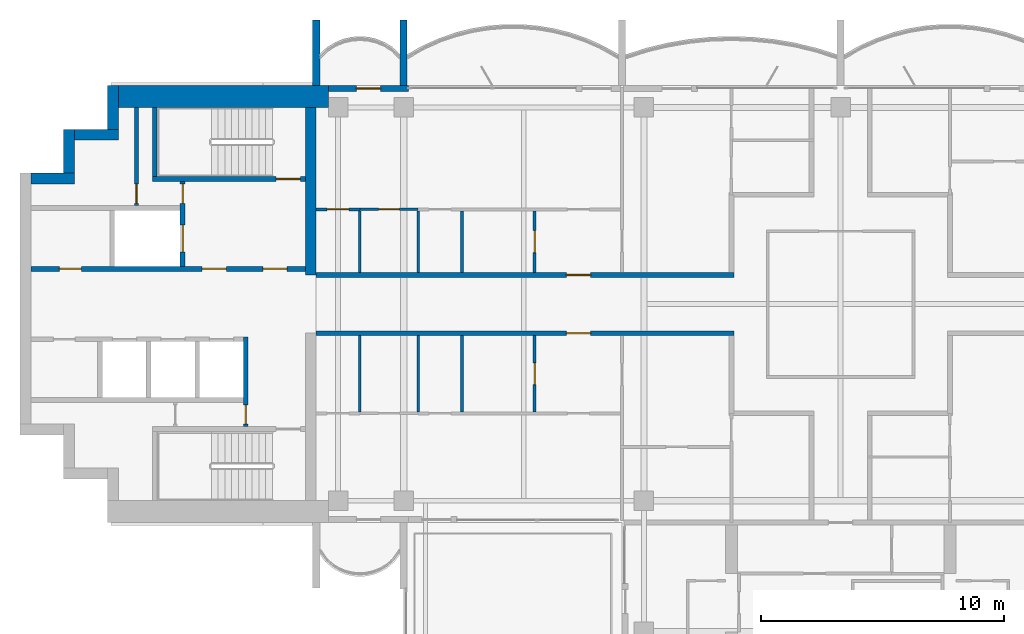
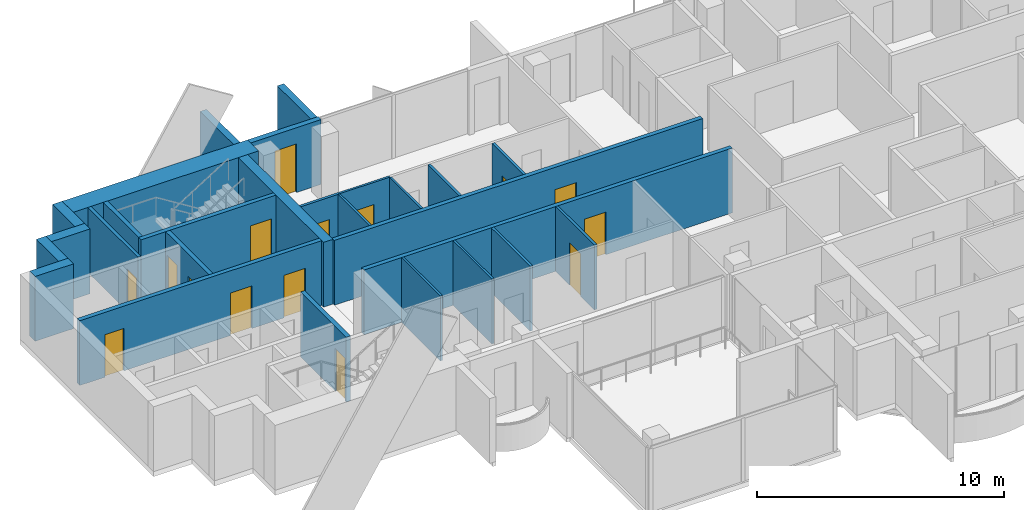
# One storey, part 9 of 18: 27 walls, 15 doors, 15 openings.
"""IFC4 building model written with IfcOpenShell, lengths in metres."""

from ifc_helpers import new_model, si_unit, direction, frame, frame_2d, origin, place, context, subcontext, project, spatial, rectangle, extrude, material, layer, layer_set, type_object, element, fill, save


model = new_model("IFC4")

# Units and contexts
model_context = context("Model", 3, precision=1e-05, world=origin(), true_north=direction((0.0, 1.0)))
body_context = subcontext(model_context, "Body", "Model", "MODEL_VIEW")
ifc_project = project(units=[si_unit("LENGTHUNIT", "METRE"), si_unit("AREAUNIT", "SQUARE_METRE"), si_unit("VOLUMEUNIT", "CUBIC_METRE"), si_unit("PLANEANGLEUNIT", "RADIAN"), si_unit("MASSUNIT", "GRAM", prefix="KILO")], contexts=[model_context])

# Site, building, storey
site_placement = place(None, origin())
site = spatial("IfcSite", under=ifc_project, at=site_placement, CompositionType="ELEMENT")
building_placement = place(site_placement, origin())
building = spatial("IfcBuilding", under=site, at=building_placement, Name="Perihelion Cross Residences", CompositionType="ELEMENT")
storey_placement = place(building_placement, frame((0.0, 0.0, 281.5)))
storey = spatial("IfcBuildingStorey", under=building, at=storey_placement, Name="L72", CompositionType="ELEMENT", Elevation=281.5)

# Wall, opening, door
ifc_material_1 = material(Name="Plasterboard partition")
ifc_layer_1 = layer(ifc_material_1, 0.199951171875)
ifc_layer_set_1 = layer_set([ifc_layer_1], Name="Apartment separation wall 200")
wall_type_1 = type_object("IfcWallType", Name="Apartment separation wall 200", PredefinedType="PARTITIONING", material=ifc_layer_set_1)
wall_1_placement = place(storey_placement, frame((-21.60009765625, 1.199951171875, 0.0), z_axis=(0.0, 0.0, 1.0), x_axis=(1.0, 0.0, 0.0)))
wall_1 = element("IfcWall", 1, at=wall_1_placement, inside=storey, type_object=wall_type_1, Name="Partition L72 W013", PredefinedType="PARTITIONING", context=body_context, shape_type="SweptSolid", body=[
    extrude(rectangle(XDim=17.2001953125, YDim=0.199951171875, at=frame_2d((8.60009765625, 0.0))), origin(), (0.0, 0.0, 1.0), 3.199951171875),
])
opening_1_placement = place(wall_1_placement, frame((10.300048828125, 0.0, 0.0)))
opening_1 = element("IfcOpeningElement", 2, at=opening_1_placement, cuts=wall_1, Name="Opening L72.A44", PredefinedType="OPENING", context=body_context, shape_type="SweptSolid", body=[
    extrude(rectangle(XDim=1.0, YDim=2.10009765625, at=frame_2d((0.5, 1.050048828125))), frame((0.0, 0.10986328125, 0.0), z_axis=(0.0, -1.0, 0.0), x_axis=(1.0, 0.0, 0.0)), (0.0, 0.0, 1.0), 0.219970703125),
])
ifc_material_2 = material(Name="Timber door leaf", Category="wood")
door_type_1 = type_object("IfcDoorType", Name="Flat entrance door 1000 x 2100", OperationType="SINGLE_SWING_LEFT", PredefinedType="DOOR", material=ifc_material_2)
door_1_placement = place(opening_1_placement, origin())
door_1 = element("IfcDoor", 3, at=door_1_placement, inside=storey, type_object=door_type_1, Name="Door L72.A44", OperationType="SINGLE_SWING_RIGHT", OverallHeight=2.10009765625, OverallWidth=1.0, PredefinedType="DOOR", context=body_context, shape_type="SweptSolid", body=[
    extrude(rectangle(XDim=1.0, YDim=2.10009765625, at=frame_2d((0.5, 1.050048828125))), frame((0.0, 0.02490234375, 0.0), z_axis=(0.0, -1.0, 0.0), x_axis=(1.0, 0.0, 0.0)), (0.0, 0.0, 1.0), 0.050048828125),
])
fill(opening_1, door_1)

wall_2_placement = place(storey_placement, frame((-4.39990234375, -1.199951171875, 0.0), z_axis=(0.0, 0.0, 1.0), x_axis=(-1.0, 0.0, 0.0)))
wall_2 = element("IfcWall", 4, at=wall_2_placement, inside=storey, type_object=wall_type_1, Name="Partition L72 W017", PredefinedType="PARTITIONING", context=body_context, shape_type="SweptSolid", body=[
    extrude(rectangle(XDim=17.2001953125, YDim=0.199951171875, at=frame_2d((8.60009765625, 0.0))), origin(), (0.0, 0.0, 1.0), 3.199951171875),
])
opening_2_placement = place(wall_2_placement, frame((5.89990234375, 0.0, 0.0)))
opening_2 = element("IfcOpeningElement", 5, at=opening_2_placement, cuts=wall_2, Name="Opening L72.A45", PredefinedType="OPENING", context=body_context, shape_type="SweptSolid", body=[
    extrude(rectangle(XDim=1.0, YDim=2.10009765625, at=frame_2d((0.5, 1.050048828125))), frame((0.0, 0.10986328125, 0.0), z_axis=(0.0, -1.0, 0.0), x_axis=(1.0, 0.0, 0.0)), (0.0, 0.0, 1.0), 0.219970703125),
])
door_2_placement = place(opening_2_placement, origin())
door_2 = element("IfcDoor", 6, at=door_2_placement, inside=storey, type_object=door_type_1, Name="Door L72.A45", OperationType="SINGLE_SWING_RIGHT", OverallHeight=2.10009765625, OverallWidth=1.0, PredefinedType="DOOR", context=body_context, shape_type="SweptSolid", body=[
    extrude(rectangle(XDim=1.0, YDim=2.10009765625, at=frame_2d((0.5, 1.050048828125))), frame((0.0, 0.02490234375, 0.0), z_axis=(0.0, -1.0, 0.0), x_axis=(1.0, 0.0, 0.0)), (0.0, 0.0, 1.0), 0.050048828125),
])
fill(opening_2, door_2)

ifc_material_3 = material(Name="Concrete C30/37, bronze-clad", Category="concrete")
ifc_layer_2 = layer(ifc_material_3, 0.25)
ifc_layer_set_2 = layer_set([ifc_layer_2], Name="Bronze-clad pier wall 250")
wall_type_2 = type_object("IfcWallType", Name="Bronze-clad pier wall 250", PredefinedType="SOLIDWALL", material=ifc_layer_set_2)
wall_3_placement = place(storey_placement, frame((-17.800048828125, 8.875, 0.0), z_axis=(0.0, 0.0, 1.0), x_axis=(-1.0, 0.0, 0.0)))
wall_3 = element("IfcWall", 7, at=wall_3_placement, inside=storey, type_object=wall_type_2, Name="Wall FW1 L72 west side north bay 2 pier", PredefinedType="SOLIDWALL", context=body_context, shape_type="SweptSolid", body=[
    extrude(rectangle(XDim=3.300048828125, YDim=0.25, at=frame_2d((1.64990234375, 0.0))), origin(), (0.0, 0.0, 1.0), 3.199951171875),
])
opening_3_placement = place(wall_3_placement, frame((1.14990234375, 0.0, 0.0)))
opening_3 = element("IfcOpeningElement", 8, at=opening_3_placement, cuts=wall_3, Name="Opening L72.E06", PredefinedType="OPENING", context=body_context, shape_type="SweptSolid", body=[
    extrude(rectangle(XDim=1.0, YDim=2.39990234375, at=frame_2d((0.5, 1.199951171875))), frame((0.0, 0.135009765625, 0.0), z_axis=(0.0, -1.0, 0.0), x_axis=(1.0, 0.0, 0.0)), (0.0, 0.0, 1.0), 0.27001953125),
])
ifc_material_4 = material(Name="Bronze anodised aluminium, glazed", Category="aluminium")
door_type_2 = type_object("IfcDoorType", Name="Balcony door 1000 x 2400", OperationType="NOTDEFINED", PredefinedType="DOOR", material=ifc_material_4)
door_3_placement = place(opening_3_placement, origin())
door_3 = element("IfcDoor", 9, at=door_3_placement, inside=storey, type_object=door_type_2, Name="Door L72.E06 west side north bay 2", OperationType="SINGLE_SWING_RIGHT", OverallHeight=2.39990234375, OverallWidth=1.0, PredefinedType="DOOR", context=body_context, shape_type="SweptSolid", body=[
    extrude(rectangle(XDim=1.0, YDim=2.39990234375, at=frame_2d((0.5, 1.199951171875))), frame((0.0, 0.02490234375, 0.0), z_axis=(0.0, -1.0, 0.0), x_axis=(1.0, 0.0, 0.0)), (0.0, 0.0, 1.0), 0.050048828125),
])
fill(opening_3, door_3)

# Walls
ifc_material_5 = material(Name="Concrete C60/75", Category="concrete")
ifc_layer_3 = layer(ifc_material_5, 0.449951171875)
ifc_layer_set_3 = layer_set([ifc_layer_3], Name="Core wall, inner 450")
wall_type_3 = type_object("IfcWallType", Name="Core wall, inner 450", PredefinedType="SHEAR", material=ifc_layer_set_3)
wall_4_placement = place(storey_placement, frame((-21.824951171875, 1.199951171875, 0.0), z_axis=(0.0, 0.0, 1.0), x_axis=(0.0, 1.0, 0.0)))
element("IfcWall", 10, at=wall_4_placement, inside=storey, type_object=wall_type_3, Name="West core core wall, inner", PredefinedType="SHEAR", context=body_context, shape_type="SweptSolid", body=[
    extrude(rectangle(XDim=6.900146484375, YDim=0.449951171875, at=frame_2d((3.4501953125, 0.0))), origin(), (0.0, 0.0, 1.0), 3.199951171875),
])
ifc_material_6 = material(Name="Concrete C60/75", Category="concrete")
ifc_layer_4 = layer(ifc_material_6, 0.449951171875)
ifc_layer_set_4 = layer_set([ifc_layer_4], Name="Core wall, outer 450")
wall_type_4 = type_object("IfcWallType", Name="Core wall, outer 450", PredefinedType="SHEAR", material=ifc_layer_set_4)
for number, where, z_axis, x_axis, name in (
    (11, (-33.35009765625, 5.175048828125, 0.0), (0.0, 0.0, 1.0), (1.0, 0.0, 0.0), "West core core wall, outer"),
    (12, (-31.77490234375, 5.39990234375, 0.0), (0.0, 0.0, 1.0), (0.0, 1.0, 0.0), "West core core wall, outer"),
    (13, (-31.550048828125, 6.97509765625, 0.0), (0.0, 0.0, 1.0), (1.0, 0.0, 0.0), "West core core wall, outer"),
    (14, (-29.97509765625, 7.199951171875, 0.0), (0.0, 0.0, 1.0), (0.0, 1.0, 0.0), "West core core wall, outer"),
):
    element("IfcWall", number, at=place(storey_placement, frame(where, z_axis=z_axis, x_axis=x_axis)), inside=storey, type_object=wall_type_4, Name=name, PredefinedType="SHEAR", context=body_context, shape_type="SweptSolid", body=[
        extrude(rectangle(XDim=1.800048828125, YDim=0.449951171875, at=frame_2d((0.89990234375, 0.0))), origin(), (0.0, 0.0, 1.0), 3.199951171875),
    ])
ifc_material_7 = material(Name="Concrete C60/75", Category="concrete")
ifc_layer_5 = layer(ifc_material_7, 0.89990234375)
ifc_layer_set_5 = layer_set([ifc_layer_5], Name="Core wall, outer 900")
wall_type_5 = type_object("IfcWallType", Name="Core wall, outer 900", PredefinedType="SHEAR", material=ifc_layer_set_5)
wall_5_placement = place(storey_placement, frame((-29.75, 8.550048828125, 0.0), z_axis=(0.0, 0.0, 1.0), x_axis=(1.0, 0.0, 0.0)))
element("IfcWall", 15, at=wall_5_placement, inside=storey, type_object=wall_type_5, Name="West core core wall, outer", PredefinedType="SHEAR", context=body_context, shape_type="SweptSolid", body=[
    extrude(rectangle(XDim=8.64990234375, YDim=0.89990234375, at=frame_2d((4.324951171875, 0.0))), origin(), (0.0, 0.0, 1.0), 3.199951171875),
])

# Wall, opening, door
ifc_material_8 = material(Name="Concrete C50/60", Category="concrete")
ifc_layer_6 = layer(ifc_material_8, 0.199951171875)
ifc_layer_set_6 = layer_set([ifc_layer_6], Name="Lobby wall 200")
wall_type_6 = type_object("IfcWallType", Name="Lobby wall 200", PredefinedType="SOLIDWALL", material=ifc_layer_set_6)
wall_6_placement = place(storey_placement, frame((-24.5, -5.050048828125, 0.0), z_axis=(0.0, 0.0, 1.0), x_axis=(0.0, 1.0, 0.0)))
wall_6 = element("IfcWall", 16, at=wall_6_placement, inside=storey, type_object=wall_type_6, Name="West core lobby wall", PredefinedType="SOLIDWALL", context=body_context, shape_type="SweptSolid", body=[
    extrude(rectangle(XDim=3.699951171875, YDim=0.199951171875, at=frame_2d((1.85009765625, 0.0))), origin(), (0.0, 0.0, 1.0), 3.199951171875),
])
opening_4_placement = place(wall_6_placement, frame((0.10009765625, 0.0, 0.0)))
opening_4 = element("IfcOpeningElement", 17, at=opening_4_placement, cuts=wall_6, Name="Opening L72.C22", PredefinedType="OPENING", context=body_context, shape_type="SweptSolid", body=[
    extrude(rectangle(XDim=0.800048828125, YDim=2.10009765625, at=frame_2d((0.39990234375, 1.050048828125))), frame((0.0, 0.10986328125, 0.0), z_axis=(0.0, -1.0, 0.0), x_axis=(1.0, 0.0, 0.0)), (0.0, 0.0, 1.0), 0.219970703125),
])
ifc_material_9 = material(Name="Steel, powder coated", Category="steel")
door_type_3 = type_object("IfcDoorType", Name="Riser door 800", OperationType="SINGLE_SWING_LEFT", PredefinedType="DOOR", material=ifc_material_9)
door_4_placement = place(opening_4_placement, origin())
door_4 = element("IfcDoor", 18, at=door_4_placement, inside=storey, type_object=door_type_3, Name="West core riser door", OperationType="SINGLE_SWING_LEFT", OverallHeight=2.10009765625, OverallWidth=0.800048828125, PredefinedType="DOOR", context=body_context, shape_type="SweptSolid", body=[
    extrude(rectangle(XDim=0.800048828125, YDim=2.10009765625, at=frame_2d((0.39990234375, 1.050048828125))), frame((0.0, 0.02490234375, 0.0), z_axis=(0.0, -1.0, 0.0), x_axis=(1.0, 0.0, 0.0)), (0.0, 0.0, 1.0), 0.050048828125),
])
fill(opening_4, door_4)

ifc_material_10 = material(Name="Plasterboard partition")
ifc_layer_7 = layer(ifc_material_10, 0.1201171875)
ifc_layer_set_7 = layer_set([ifc_layer_7], Name="Partition wall 120")
wall_type_7 = type_object("IfcWallType", Name="Partition wall 120", PredefinedType="PARTITIONING", material=ifc_layer_set_7)
wall_7_placement = place(storey_placement, frame((-12.60009765625, 1.300048828125, 0.0), z_axis=(0.0, 0.0, 1.0), x_axis=(0.0, 1.0, 0.0)))
wall_7 = element("IfcWall", 19, at=wall_7_placement, inside=storey, type_object=wall_type_7, Name="Partition L72 W046", PredefinedType="PARTITIONING", context=body_context, shape_type="SweptSolid", body=[
    extrude(rectangle(XDim=2.5400390625, YDim=0.1201171875, at=frame_2d((1.27001953125, 0.0))), origin(), (0.0, 0.0, 1.0), 3.199951171875),
])
opening_5_placement = place(wall_7_placement, frame((0.820068359375, 0.0, 0.0)))
opening_5 = element("IfcOpeningElement", 20, at=opening_5_placement, cuts=wall_7, Name="Opening L72.A21", PredefinedType="OPENING", context=body_context, shape_type="SweptSolid", body=[
    extrude(rectangle(XDim=0.89990234375, YDim=2.10009765625, at=frame_2d((0.449951171875, 1.050048828125))), frame((0.0, 0.070068359375, 0.0), z_axis=(0.0, -1.0, 0.0), x_axis=(1.0, 0.0, 0.0)), (0.0, 0.0, 1.0), 0.14013671875),
])
ifc_material_11 = material(Name="Timber door leaf", Category="wood")
door_type_4 = type_object("IfcDoorType", Name="Interior room door 900 x 2100", OperationType="SINGLE_SWING_LEFT", PredefinedType="DOOR", material=ifc_material_11)
door_5_placement = place(opening_5_placement, origin())
door_5 = element("IfcDoor", 21, at=door_5_placement, inside=storey, type_object=door_type_4, Name="Door L72.A21", OperationType="SINGLE_SWING_LEFT", OverallHeight=2.10009765625, OverallWidth=0.89990234375, PredefinedType="DOOR", context=body_context, shape_type="SweptSolid", body=[
    extrude(rectangle(XDim=0.89990234375, YDim=2.10009765625, at=frame_2d((0.449951171875, 1.050048828125))), frame((0.0, 0.02490234375, 0.0), z_axis=(0.0, -1.0, 0.0), x_axis=(1.0, 0.0, 0.0)), (0.0, 0.0, 1.0), 0.050048828125),
])
fill(opening_5, door_5)

# Wall
wall_8_placement = place(storey_placement, frame((-15.60009765625, 1.300048828125, 0.0), z_axis=(0.0, 0.0, 1.0), x_axis=(0.0, 1.0, 0.0)))
element("IfcWall", 22, at=wall_8_placement, inside=storey, type_object=wall_type_7, Name="Partition L72 W049", PredefinedType="PARTITIONING", context=body_context, shape_type="SweptSolid", body=[
    extrude(rectangle(XDim=2.5400390625, YDim=0.1201171875, at=frame_2d((1.27001953125, 0.0))), origin(), (0.0, 0.0, 1.0), 3.199951171875),
])

# Wall, opening, door
wall_9_placement = place(storey_placement, frame((-21.60009765625, 3.89990234375, 0.0), z_axis=(0.0, 0.0, 1.0), x_axis=(1.0, 0.0, 0.0)))
wall_9 = element("IfcWall", 23, at=wall_9_placement, inside=storey, type_object=wall_type_7, Name="Partition L72 W053", PredefinedType="PARTITIONING", context=body_context, shape_type="SweptSolid", body=[
    extrude(rectangle(XDim=1.800048828125, YDim=0.1201171875, at=frame_2d((0.89990234375, 0.0))), origin(), (0.0, 0.0, 1.0), 3.199951171875),
])
opening_6_placement = place(wall_9_placement, frame((0.449951171875, 0.0, 0.0)))
opening_6 = element("IfcOpeningElement", 24, at=opening_6_placement, cuts=wall_9, Name="Opening L72.A20", PredefinedType="OPENING", context=body_context, shape_type="SweptSolid", body=[
    extrude(rectangle(XDim=0.89990234375, YDim=2.10009765625, at=frame_2d((0.449951171875, 1.050048828125))), frame((0.0, 0.070068359375, 0.0), z_axis=(0.0, -1.0, 0.0), x_axis=(1.0, 0.0, 0.0)), (0.0, 0.0, 1.0), 0.14013671875),
])
door_6_placement = place(opening_6_placement, origin())
door_6 = element("IfcDoor", 25, at=door_6_placement, inside=storey, type_object=door_type_4, Name="Door L72.A20", OperationType="SINGLE_SWING_LEFT", OverallHeight=2.10009765625, OverallWidth=0.89990234375, PredefinedType="DOOR", context=body_context, shape_type="SweptSolid", body=[
    extrude(rectangle(XDim=0.89990234375, YDim=2.10009765625, at=frame_2d((0.449951171875, 1.050048828125))), frame((0.0, 0.02490234375, 0.0), z_axis=(0.0, -1.0, 0.0), x_axis=(1.0, 0.0, 0.0)), (0.0, 0.0, 1.0), 0.050048828125),
])
fill(opening_6, door_6)

wall_10_placement = place(storey_placement, frame((-12.60009765625, -4.43994140625, 0.0), z_axis=(0.0, 0.0, 1.0), x_axis=(0.0, 1.0, 0.0)))
wall_10 = element("IfcWall", 26, at=wall_10_placement, inside=storey, type_object=wall_type_7, Name="Partition L72 W057", PredefinedType="PARTITIONING", context=body_context, shape_type="SweptSolid", body=[
    extrude(rectangle(XDim=3.139892578125, YDim=0.1201171875, at=frame_2d((1.56982421875, 0.0))), origin(), (0.0, 0.0, 1.0), 3.199951171875),
])
opening_7_placement = place(wall_10_placement, frame((1.1201171875, 0.0, 0.0)))
opening_7 = element("IfcOpeningElement", 27, at=opening_7_placement, cuts=wall_10, Name="Opening L72.A31", PredefinedType="OPENING", context=body_context, shape_type="SweptSolid", body=[
    extrude(rectangle(XDim=0.89990234375, YDim=2.10009765625, at=frame_2d((0.449951171875, 1.050048828125))), frame((0.0, 0.070068359375, 0.0), z_axis=(0.0, -1.0, 0.0), x_axis=(1.0, 0.0, 0.0)), (0.0, 0.0, 1.0), 0.14013671875),
])
door_7_placement = place(opening_7_placement, origin())
door_7 = element("IfcDoor", 28, at=door_7_placement, inside=storey, type_object=door_type_4, Name="Door L72.A31", OperationType="SINGLE_SWING_LEFT", OverallHeight=2.10009765625, OverallWidth=0.89990234375, PredefinedType="DOOR", context=body_context, shape_type="SweptSolid", body=[
    extrude(rectangle(XDim=0.89990234375, YDim=2.10009765625, at=frame_2d((0.449951171875, 1.050048828125))), frame((0.0, 0.02490234375, 0.0), z_axis=(0.0, -1.0, 0.0), x_axis=(1.0, 0.0, 0.0)), (0.0, 0.0, 1.0), 0.050048828125),
])
fill(opening_7, door_7)

# Walls
wall_11_placement = place(storey_placement, frame((-15.60009765625, -4.43994140625, 0.0), z_axis=(0.0, 0.0, 1.0), x_axis=(0.0, 1.0, 0.0)))
element("IfcWall", 29, at=wall_11_placement, inside=storey, type_object=wall_type_7, Name="Partition L72 W060", PredefinedType="PARTITIONING", context=body_context, shape_type="SweptSolid", body=[
    extrude(rectangle(XDim=3.139892578125, YDim=0.1201171875, at=frame_2d((1.56982421875, 0.0))), origin(), (0.0, 0.0, 1.0), 3.199951171875),
])
ifc_material_12 = material(Name="Precast concrete C50/60", Category="concrete")
ifc_layer_8 = layer(ifc_material_12, 0.300048828125)
ifc_layer_set_8 = layer_set([ifc_layer_8], Name="Precast concrete C50/60 blade wall 300")
wall_type_8 = type_object("IfcWallType", Name="Precast concrete C50/60 blade wall 300", PredefinedType="SOLIDWALL", material=ifc_layer_set_8)
for number, where, z_axis, x_axis, name in (
    (30, (-21.60009765625, 9.0, 0.0), (0.0, 0.0, 1.0), (0.0, 1.0, 0.0), "Wall BL1 L72 no. 4"),
    (31, (-18.0, 9.0, 0.0), (0.0, 0.0, 1.0), (0.0, 1.0, 0.0), "Wall BL1 L72 no. 2"),
):
    element("IfcWall", number, at=place(storey_placement, frame(where, z_axis=z_axis, x_axis=x_axis)), inside=storey, type_object=wall_type_8, Name=name, PredefinedType="SOLIDWALL", context=body_context, shape_type="SweptSolid", body=[
        extrude(rectangle(XDim=2.699951171875, YDim=0.300048828125, at=frame_2d((1.35009765625, 0.0))), origin(), (0.0, 0.0, 1.0), 3.199951171875),
    ])

# Wall, opening, door
ifc_material_13 = material(Name="Fire-rated board on steel stud", Category="steel")
ifc_layer_9 = layer(ifc_material_13, 0.14990234375)
ifc_layer_set_9 = layer_set([ifc_layer_9], Name="Riser wall 150")
wall_type_9 = type_object("IfcWallType", Name="Riser wall 150", PredefinedType="PARTITIONING", material=ifc_layer_set_9)
wall_12_placement = place(storey_placement, frame((-29.0, 4.050048828125, 0.0), z_axis=(0.0, 0.0, 1.0), x_axis=(0.0, 1.0, 0.0)))
wall_12 = element("IfcWall", 32, at=wall_12_placement, inside=storey, type_object=wall_type_9, Name="West core riser wall", PredefinedType="PARTITIONING", context=body_context, shape_type="SweptSolid", body=[
    extrude(rectangle(XDim=4.050048828125, YDim=0.14990234375, at=frame_2d((2.02490234375, 0.0))), origin(), (0.0, 0.0, 1.0), 3.199951171875),
])
opening_8_placement = place(wall_12_placement, frame((0.10009765625, 0.0, 0.0)))
opening_8 = element("IfcOpeningElement", 33, at=opening_8_placement, cuts=wall_12, Name="Opening L72.C26", PredefinedType="OPENING", context=body_context, shape_type="SweptSolid", body=[
    extrude(rectangle(XDim=0.800048828125, YDim=2.10009765625, at=frame_2d((0.39990234375, 1.050048828125))), frame((0.0, 0.0849609375, 0.0), z_axis=(0.0, -1.0, 0.0), x_axis=(1.0, 0.0, 0.0)), (0.0, 0.0, 1.0), 0.169921875),
])
door_8_placement = place(opening_8_placement, origin())
door_8 = element("IfcDoor", 34, at=door_8_placement, inside=storey, type_object=door_type_3, Name="West core riser door", OperationType="SINGLE_SWING_LEFT", OverallHeight=2.10009765625, OverallWidth=0.800048828125, PredefinedType="DOOR", context=body_context, shape_type="SweptSolid", body=[
    extrude(rectangle(XDim=0.800048828125, YDim=2.10009765625, at=frame_2d((0.39990234375, 1.050048828125))), frame((0.0, 0.02490234375, 0.0), z_axis=(0.0, -1.0, 0.0), x_axis=(1.0, 0.0, 0.0)), (0.0, 0.0, 1.0), 0.050048828125),
])
fill(opening_8, door_8)

# Wall, openings, doors
ifc_material_14 = material(Name="Concrete C50/60", Category="concrete")
ifc_layer_10 = layer(ifc_material_14, 0.199951171875)
ifc_layer_set_10 = layer_set([ifc_layer_10], Name="Shaft wall 200")
wall_type_10 = type_object("IfcWallType", Name="Shaft wall 200", PredefinedType="SOLIDWALL", material=ifc_layer_set_10)
wall_13_placement = place(storey_placement, frame((-33.35009765625, 1.449951171875, 0.0), z_axis=(0.0, 0.0, 1.0), x_axis=(1.0, 0.0, 0.0)))
wall_13 = element("IfcWall", 35, at=wall_13_placement, inside=storey, type_object=wall_type_10, Name="West core shaft wall", PredefinedType="SOLIDWALL", context=body_context, shape_type="SweptSolid", body=[
    extrude(rectangle(XDim=11.300048828125, YDim=0.199951171875, at=frame_2d((5.64990234375, 0.0))), origin(), (0.0, 0.0, 1.0), 3.199951171875),
])
opening_9_placement = place(wall_13_placement, frame((9.550048828125, 0.0, 0.0)))
opening_9 = element("IfcOpeningElement", 36, at=opening_9_placement, cuts=wall_13, Name="Opening L72.C21", PredefinedType="OPENING", context=body_context, shape_type="SweptSolid", body=[
    extrude(rectangle(XDim=1.0, YDim=2.10009765625, at=frame_2d((0.5, 1.050048828125))), frame((0.0, 0.10986328125, 0.0), z_axis=(0.0, -1.0, 0.0), x_axis=(1.0, 0.0, 0.0)), (0.0, 0.0, 1.0), 0.219970703125),
])
opening_10_placement = place(wall_13_placement, frame((7.050048828125, 0.0, 0.0)))
opening_10 = element("IfcOpeningElement", 37, at=opening_10_placement, cuts=wall_13, Name="Opening L72.C23", PredefinedType="OPENING", context=body_context, shape_type="SweptSolid", body=[
    extrude(rectangle(XDim=1.0, YDim=2.10009765625, at=frame_2d((0.5, 1.050048828125))), frame((0.0, 0.10986328125, 0.0), z_axis=(0.0, -1.0, 0.0), x_axis=(1.0, 0.0, 0.0)), (0.0, 0.0, 1.0), 0.219970703125),
])
opening_11_placement = place(wall_13_placement, frame((1.175048828125, 0.0, 0.0)))
opening_11 = element("IfcOpeningElement", 38, at=opening_11_placement, cuts=wall_13, Name="Opening L72.C27", PredefinedType="OPENING", context=body_context, shape_type="SweptSolid", body=[
    extrude(rectangle(XDim=0.89990234375, YDim=2.10009765625, at=frame_2d((0.449951171875, 1.050048828125))), frame((0.0, 0.10986328125, 0.0), z_axis=(0.0, -1.0, 0.0), x_axis=(1.0, 0.0, 0.0)), (0.0, 0.0, 1.0), 0.219970703125),
])
ifc_material_15 = material(Name="Steel, powder coated", Category="steel")
door_type_5 = type_object("IfcDoorType", Name="Lobby door 1000", OperationType="SINGLE_SWING_LEFT", PredefinedType="DOOR", material=ifc_material_15)
door_9_placement = place(opening_9_placement, origin())
door_9 = element("IfcDoor", 39, at=door_9_placement, inside=storey, type_object=door_type_5, Name="West core firefighting lobby door", OperationType="SINGLE_SWING_LEFT", OverallHeight=2.10009765625, OverallWidth=1.0, PredefinedType="DOOR", context=body_context, shape_type="SweptSolid", body=[
    extrude(rectangle(XDim=1.0, YDim=2.10009765625, at=frame_2d((0.5, 1.050048828125))), frame((0.0, 0.02490234375, 0.0), z_axis=(0.0, -1.0, 0.0), x_axis=(1.0, 0.0, 0.0)), (0.0, 0.0, 1.0), 0.050048828125),
])
fill(opening_9, door_9)
door_10_placement = place(opening_10_placement, origin())
door_10 = element("IfcDoor", 40, at=door_10_placement, inside=storey, type_object=door_type_5, Name="West core firefighting lobby door", OperationType="SINGLE_SWING_LEFT", OverallHeight=2.10009765625, OverallWidth=1.0, PredefinedType="DOOR", context=body_context, shape_type="SweptSolid", body=[
    extrude(rectangle(XDim=1.0, YDim=2.10009765625, at=frame_2d((0.5, 1.050048828125))), frame((0.0, 0.02490234375, 0.0), z_axis=(0.0, -1.0, 0.0), x_axis=(1.0, 0.0, 0.0)), (0.0, 0.0, 1.0), 0.050048828125),
])
fill(opening_10, door_10)
ifc_material_16 = material(Name="Steel, powder coated", Category="steel")
door_type_6 = type_object("IfcDoorType", Name="Service room door 900", OperationType="SINGLE_SWING_LEFT", PredefinedType="DOOR", material=ifc_material_16)
door_11_placement = place(opening_11_placement, origin())
door_11 = element("IfcDoor", 41, at=door_11_placement, inside=storey, type_object=door_type_6, Name="West core service room door", OperationType="SINGLE_SWING_LEFT", OverallHeight=2.10009765625, OverallWidth=0.89990234375, PredefinedType="DOOR", context=body_context, shape_type="SweptSolid", body=[
    extrude(rectangle(XDim=0.89990234375, YDim=2.10009765625, at=frame_2d((0.449951171875, 1.050048828125))), frame((0.0, 0.02490234375, 0.0), z_axis=(0.0, -1.0, 0.0), x_axis=(1.0, 0.0, 0.0)), (0.0, 0.0, 1.0), 0.050048828125),
])
fill(opening_11, door_11)

wall_14_placement = place(storey_placement, frame((-27.10009765625, 1.550048828125, 0.0), z_axis=(0.0, 0.0, 1.0), x_axis=(0.0, 1.0, 0.0)))
wall_14 = element("IfcWall", 42, at=wall_14_placement, inside=storey, type_object=wall_type_10, Name="West core shaft wall", PredefinedType="SOLIDWALL", context=body_context, shape_type="SweptSolid", body=[
    extrude(rectangle(XDim=3.5, YDim=0.199951171875, at=frame_2d((1.75, 0.0))), origin(), (0.0, 0.0, 1.0), 3.199951171875),
])
opening_12_placement = place(wall_14_placement, frame((0.60009765625, 0.0, 0.0)))
opening_12 = element("IfcOpeningElement", 43, at=opening_12_placement, cuts=wall_14, Name="Opening L72.C16", PredefinedType="OPENING", context=body_context, shape_type="SweptSolid", body=[
    extrude(rectangle(XDim=1.10009765625, YDim=2.10009765625, at=frame_2d((0.550048828125, 1.050048828125))), frame((0.0, 0.10986328125, 0.0), z_axis=(0.0, -1.0, 0.0), x_axis=(1.0, 0.0, 0.0)), (0.0, 0.0, 1.0), 0.219970703125),
])
opening_13_placement = place(wall_14_placement, frame((2.60009765625, 0.0, 0.0)))
opening_13 = element("IfcOpeningElement", 44, at=opening_13_placement, cuts=wall_14, Name="Opening L72.C24", PredefinedType="OPENING", context=body_context, shape_type="SweptSolid", body=[
    extrude(rectangle(XDim=0.800048828125, YDim=2.10009765625, at=frame_2d((0.39990234375, 1.050048828125))), frame((0.0, 0.10986328125, 0.0), z_axis=(0.0, -1.0, 0.0), x_axis=(1.0, 0.0, 0.0)), (0.0, 0.0, 1.0), 0.219970703125),
])
ifc_material_17 = material(Name="Stainless steel", Category="steel")
door_type_7 = type_object("IfcDoorType", Name="Landing door, firefighting lift 1100", OperationType="DOUBLE_DOOR_SLIDING", PredefinedType="DOOR", material=ifc_material_17)
door_12_placement = place(opening_12_placement, origin())
door_12 = element("IfcDoor", 45, at=door_12_placement, inside=storey, type_object=door_type_7, Name="Landing door, West core firefighting and service lift", OperationType="DOUBLE_DOOR_SLIDING", OverallHeight=2.10009765625, OverallWidth=1.10009765625, PredefinedType="DOOR", context=body_context, shape_type="SweptSolid", body=[
    extrude(rectangle(XDim=1.10009765625, YDim=2.10009765625, at=frame_2d((0.550048828125, 1.050048828125))), frame((0.0, 0.02490234375, 0.0), z_axis=(0.0, -1.0, 0.0), x_axis=(1.0, 0.0, 0.0)), (0.0, 0.0, 1.0), 0.050048828125),
])
fill(opening_12, door_12)
door_13_placement = place(opening_13_placement, origin())
door_13 = element("IfcDoor", 46, at=door_13_placement, inside=storey, type_object=door_type_3, Name="West core riser door", OperationType="SINGLE_SWING_LEFT", OverallHeight=2.10009765625, OverallWidth=0.800048828125, PredefinedType="DOOR", context=body_context, shape_type="SweptSolid", body=[
    extrude(rectangle(XDim=0.800048828125, YDim=2.10009765625, at=frame_2d((0.39990234375, 1.050048828125))), frame((0.0, 0.02490234375, 0.0), z_axis=(0.0, -1.0, 0.0), x_axis=(1.0, 0.0, 0.0)), (0.0, 0.0, 1.0), 0.050048828125),
])
fill(opening_13, door_13)

# Wall, opening, door
ifc_material_18 = material(Name="Concrete C50/60", Category="concrete")
ifc_layer_11 = layer(ifc_material_18, 0.199951171875)
ifc_layer_set_11 = layer_set([ifc_layer_11], Name="Stair wall 200")
wall_type_11 = type_object("IfcWallType", Name="Stair wall 200", PredefinedType="SOLIDWALL", material=ifc_layer_set_11)
wall_15_placement = place(storey_placement, frame((-28.35009765625, 5.14990234375, 0.0), z_axis=(0.0, 0.0, 1.0), x_axis=(1.0, 0.0, 0.0)))
wall_15 = element("IfcWall", 47, at=wall_15_placement, inside=storey, type_object=wall_type_11, Name="West core stair wall", PredefinedType="SOLIDWALL", context=body_context, shape_type="SweptSolid", body=[
    extrude(rectangle(XDim=6.300048828125, YDim=0.199951171875, at=frame_2d((3.14990234375, 0.0))), origin(), (0.0, 0.0, 1.0), 3.199951171875),
])
opening_14_placement = place(wall_15_placement, frame((5.10009765625, 0.0, 0.0)))
opening_14 = element("IfcOpeningElement", 48, at=opening_14_placement, cuts=wall_15, Name="Opening L72.C20", PredefinedType="OPENING", context=body_context, shape_type="SweptSolid", body=[
    extrude(rectangle(XDim=1.0, YDim=2.10009765625, at=frame_2d((0.5, 1.050048828125))), frame((0.0, 0.10986328125, 0.0), z_axis=(0.0, -1.0, 0.0), x_axis=(1.0, 0.0, 0.0)), (0.0, 0.0, 1.0), 0.219970703125),
])
ifc_material_19 = material(Name="Steel, powder coated", Category="steel")
door_type_8 = type_object("IfcDoorType", Name="Stair door 1000", OperationType="SINGLE_SWING_LEFT", PredefinedType="DOOR", material=ifc_material_19)
door_14_placement = place(opening_14_placement, origin())
door_14 = element("IfcDoor", 49, at=door_14_placement, inside=storey, type_object=door_type_8, Name="West core stair door", OperationType="SINGLE_SWING_LEFT", OverallHeight=2.10009765625, OverallWidth=1.0, PredefinedType="DOOR", context=body_context, shape_type="SweptSolid", body=[
    extrude(rectangle(XDim=1.0, YDim=2.10009765625, at=frame_2d((0.5, 1.050048828125))), frame((0.0, 0.02490234375, 0.0), z_axis=(0.0, -1.0, 0.0), x_axis=(1.0, 0.0, 0.0)), (0.0, 0.0, 1.0), 0.050048828125),
])
fill(opening_14, door_14)

# Walls
wall_16_placement = place(storey_placement, frame((-28.25, 5.25, 0.0), z_axis=(0.0, 0.0, 1.0), x_axis=(0.0, 1.0, 0.0)))
element("IfcWall", 50, at=wall_16_placement, inside=storey, type_object=wall_type_11, Name="West core stair wall", PredefinedType="SOLIDWALL", context=body_context, shape_type="SweptSolid", body=[
    extrude(rectangle(XDim=2.85009765625, YDim=0.199951171875, at=frame_2d((1.425048828125, 0.0))), origin(), (0.0, 0.0, 1.0), 3.199951171875),
])
ifc_material_20 = material(Name="Plasterboard partition")
ifc_layer_12 = layer(ifc_material_20, 0.10009765625)
ifc_layer_set_12 = layer_set([ifc_layer_12], Name="Wet room wall 100")
wall_type_12 = type_object("IfcWallType", Name="Wet room wall 100", PredefinedType="PARTITIONING", material=ifc_layer_set_12)
for number, where, z_axis, x_axis, name in (
    (51, (-17.39990234375, 1.300048828125, 0.0), (0.0, 0.0, 1.0), (0.0, 1.0, 0.0), "Partition L72 W050"),
    (52, (-19.800048828125, 1.300048828125, 0.0), (0.0, 0.0, 1.0), (0.0, 1.0, 0.0), "Partition L72 W051"),
):
    element("IfcWall", number, at=place(storey_placement, frame(where, z_axis=z_axis, x_axis=x_axis)), inside=storey, type_object=wall_type_12, Name=name, PredefinedType="PARTITIONING", context=body_context, shape_type="SweptSolid", body=[
        extrude(rectangle(XDim=2.5400390625, YDim=0.10009765625, at=frame_2d((1.27001953125, 0.0))), origin(), (0.0, 0.0, 1.0), 3.199951171875),
    ])

# Wall, opening, door
wall_17_placement = place(storey_placement, frame((-19.800048828125, 3.89990234375, 0.0), z_axis=(0.0, 0.0, 1.0), x_axis=(1.0, 0.0, 0.0)))
wall_17 = element("IfcWall", 53, at=wall_17_placement, inside=storey, type_object=wall_type_12, Name="Partition L72 W052", PredefinedType="PARTITIONING", context=body_context, shape_type="SweptSolid", body=[
    extrude(rectangle(XDim=2.400146484375, YDim=0.10009765625, at=frame_2d((1.2001953125, 0.0))), origin(), (0.0, 0.0, 1.0), 3.199951171875),
])
opening_15_placement = place(wall_17_placement, frame((0.77490234375, 0.0, 0.0)))
opening_15 = element("IfcOpeningElement", 54, at=opening_15_placement, cuts=wall_17, Name="Opening L72.A19", PredefinedType="OPENING", context=body_context, shape_type="SweptSolid", body=[
    extrude(rectangle(XDim=0.85009765625, YDim=2.10009765625, at=frame_2d((0.425048828125, 1.050048828125))), frame((0.0, 0.06005859375, 0.0), z_axis=(0.0, -1.0, 0.0), x_axis=(1.0, 0.0, 0.0)), (0.0, 0.0, 1.0), 0.1201171875),
])
ifc_material_21 = material(Name="Timber door leaf", Category="wood")
door_type_9 = type_object("IfcDoorType", Name="Interior bathroom door 850 x 2100", OperationType="SINGLE_SWING_LEFT", PredefinedType="DOOR", material=ifc_material_21)
door_15_placement = place(opening_15_placement, origin())
door_15 = element("IfcDoor", 55, at=door_15_placement, inside=storey, type_object=door_type_9, Name="Door L72.A19", OperationType="SINGLE_SWING_RIGHT", OverallHeight=2.10009765625, OverallWidth=0.85009765625, PredefinedType="DOOR", context=body_context, shape_type="SweptSolid", body=[
    extrude(rectangle(XDim=0.85009765625, YDim=2.10009765625, at=frame_2d((0.425048828125, 1.050048828125))), frame((0.0, 0.02490234375, 0.0), z_axis=(0.0, -1.0, 0.0), x_axis=(1.0, 0.0, 0.0)), (0.0, 0.0, 1.0), 0.050048828125),
])
fill(opening_15, door_15)

# Walls
for number, where, z_axis, x_axis, name in (
    (56, (-17.39990234375, -4.43994140625, 0.0), (0.0, 0.0, 1.0), (0.0, 1.0, 0.0), "Partition L72 W061"),
    (57, (-19.800048828125, -4.43994140625, 0.0), (0.0, 0.0, 1.0), (0.0, 1.0, 0.0), "Partition L72 W062"),
):
    element("IfcWall", number, at=place(storey_placement, frame(where, z_axis=z_axis, x_axis=x_axis)), inside=storey, type_object=wall_type_12, Name=name, PredefinedType="PARTITIONING", context=body_context, shape_type="SweptSolid", body=[
        extrude(rectangle(XDim=3.139892578125, YDim=0.10009765625, at=frame_2d((1.56982421875, 0.0))), origin(), (0.0, 0.0, 1.0), 3.199951171875),
    ])

save(model, "model.ifc")
